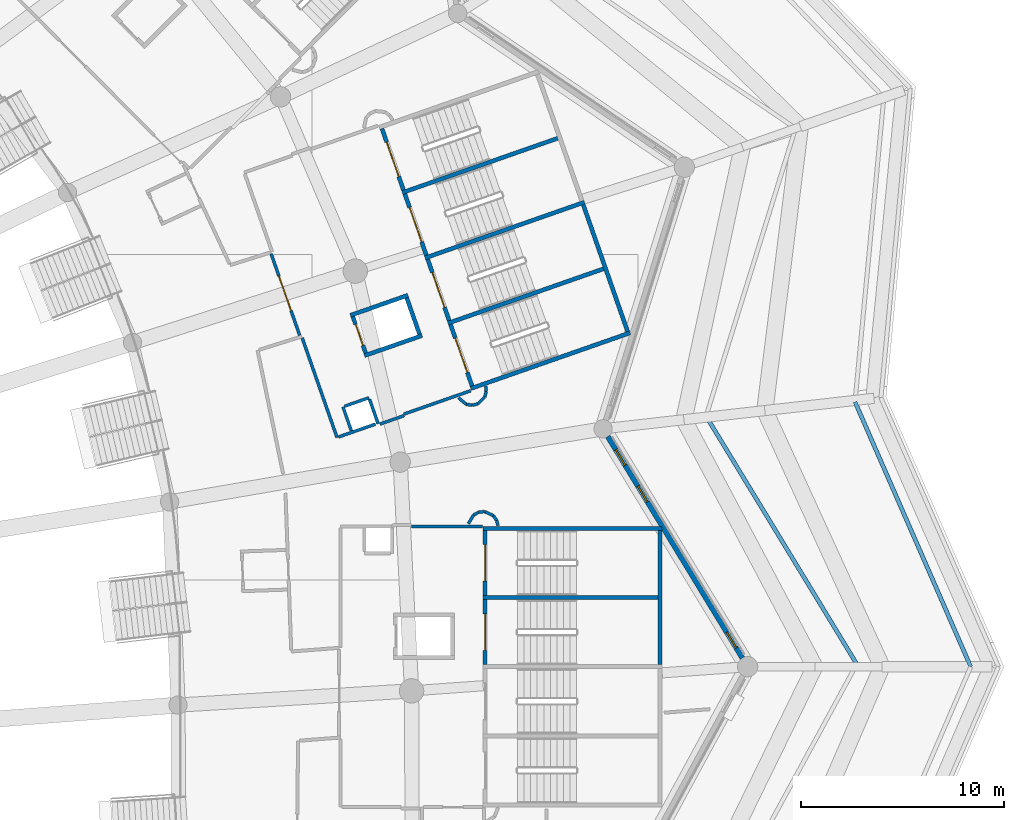
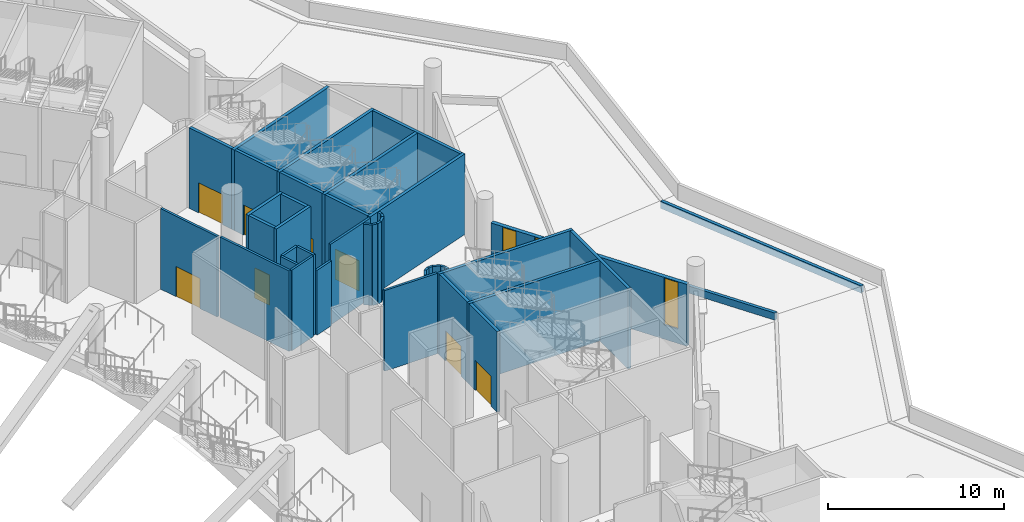
# One storey, part 73 of 173: 42 walls, 8 doors, 3 windows, 11 openings.
"""IFC4 building model written with IfcOpenShell, lengths in metres."""

from ifc_helpers import new_model, si_unit, direction, frame, frame_2d, origin, place, context, subcontext, project, spatial, rectangle, extrude, material, layer, layer_set, type_object, element, fill, save


model = new_model("IFC4")

# Units and contexts
model_context = context("Model", 3, precision=1e-05, world=origin(), true_north=direction((0.0, 1.0)))
body_context = subcontext(model_context, "Body", "Model", "MODEL_VIEW")
ifc_project = project(units=[si_unit("LENGTHUNIT", "METRE"), si_unit("AREAUNIT", "SQUARE_METRE"), si_unit("VOLUMEUNIT", "CUBIC_METRE"), si_unit("PLANEANGLEUNIT", "RADIAN"), si_unit("MASSUNIT", "GRAM", prefix="KILO")], contexts=[model_context])

# Site, building, storey
site_placement = place(None, origin())
site = spatial("IfcSite", under=ifc_project, at=site_placement, CompositionType="ELEMENT")
building_placement = place(site_placement, origin())
building = spatial("IfcBuilding", under=site, at=building_placement, Name="Meseta Stadium", CompositionType="ELEMENT")
storey_placement = place(building_placement, frame((0.0, 0.0, 18.0)))
storey = spatial("IfcBuildingStorey", under=building, at=storey_placement, Name="L03", CompositionType="ELEMENT", Elevation=18.0)

# Walls
ifc_material_1 = material(Name="Concrete C40/50", Category="concrete")
ifc_layer_1 = layer(ifc_material_1, 0.199951171875)
ifc_layer_set_1 = layer_set([ifc_layer_1], Name="Core divider wall 200")
wall_type_1 = type_object("IfcWallType", Name="Core divider wall 200", PredefinedType="SHEAR", material=ifc_layer_set_1)
wall_1_placement = place(storey_placement, frame((97.199951171875, 47.14990234375, 0.0), z_axis=(0.0, 0.0, 1.0), x_axis=(-1.0, 0.0, 0.0)))
element("IfcWall", 1, at=wall_1_placement, inside=storey, type_object=wall_type_1, Name="Core 05 L03 stair B divider wall", PredefinedType="SHEAR", context=body_context, shape_type="SweptSolid", body=[
    extrude(rectangle(XDim=8.800048828125, YDim=0.199951171875, at=frame_2d((4.39990234375, 0.0))), origin(), (0.0, 0.0, 1.0), 5.60009765625),
])
for number, where, z_axis, x_axis, name in (
    (2, (94.505859375, 63.370849609375, 0.0), (0.0, 0.0, 1.0), (-0.943878073457, -0.330294084791, 0.0), "Core 06 L03 stair A divider wall"),
    (3, (92.260009765625, 69.789306640625, 0.0), (0.0, 0.0, 1.0), (-0.943878073457, -0.330294084791, 0.0), "Core 06 L03 stair B divider wall"),
):
    element("IfcWall", number, at=place(storey_placement, frame(where, z_axis=z_axis, x_axis=x_axis)), inside=storey, type_object=wall_type_1, Name=name, PredefinedType="SHEAR", context=body_context, shape_type="SweptSolid", body=[
        extrude(rectangle(XDim=8.300048828125, YDim=0.199951171875, at=frame_2d((4.14990234375, 0.0))), origin(), (0.0, 0.0, 1.0), 5.60009765625),
    ])
ifc_material_2 = material(Name="Concrete C40/50", Category="concrete")
ifc_layer_2 = layer(ifc_material_2, 0.199951171875)
ifc_layer_set_2 = layer_set([ifc_layer_2], Name="Core shaft wall 200")
wall_type_2 = type_object("IfcWallType", Name="Core shaft wall 200", PredefinedType="SHEAR", material=ifc_layer_set_2)
wall_2_placement = place(storey_placement, frame((97.199951171875, 50.550048828125, 0.0), z_axis=(0.0, 0.0, 1.0), x_axis=(-1.0, 0.0, 0.0)))
element("IfcWall", 4, at=wall_2_placement, inside=storey, type_object=wall_type_2, Name="Core 05 L03 stair wall B-side", PredefinedType="SHEAR", context=body_context, shape_type="SweptSolid", body=[
    extrude(rectangle(XDim=8.800048828125, YDim=0.199951171875, at=frame_2d((4.39990234375, 0.0))), origin(), (0.0, 0.0, 1.0), 5.60009765625),
])
wall_3_placement = place(storey_placement, frame((97.10009765625, 43.85009765625, 0.0), z_axis=(0.0, 0.0, 1.0), x_axis=(0.0, 1.0, 0.0)))
element("IfcWall", 5, at=wall_3_placement, inside=storey, type_object=wall_type_2, Name="Core 05 L03 stair B outer end wall", PredefinedType="SHEAR", context=body_context, shape_type="SweptSolid", body=[
    extrude(rectangle(XDim=6.599853515625, YDim=0.199951171875, at=frame_2d((3.2998046875, 0.0))), origin(), (0.0, 0.0, 1.0), 5.60009765625),
])

# Wall, opening, door
wall_4_placement = place(storey_placement, frame((88.5, 43.85009765625, 0.0), z_axis=(0.0, 0.0, 1.0), x_axis=(0.0, 1.0, 0.0)))
wall_4 = element("IfcWall", 6, at=wall_4_placement, inside=storey, type_object=wall_type_2, Name="Core 05 L03 stair B1 inner end wall", PredefinedType="SHEAR", context=body_context, shape_type="SweptSolid", body=[
    extrude(rectangle(XDim=3.199951171875, YDim=0.199951171875, at=frame_2d((1.60009765625, 0.0))), origin(), (0.0, 0.0, 1.0), 5.60009765625),
])
opening_1_placement = place(wall_4_placement, frame((0.699951171875, 0.0, 0.0)))
opening_1 = element("IfcOpeningElement", 7, at=opening_1_placement, cuts=wall_4, Name="Opening D1479", PredefinedType="OPENING", context=body_context, shape_type="SweptSolid", body=[
    extrude(rectangle(XDim=1.800048828125, YDim=2.10009765625, at=frame_2d((0.89990234375, 1.050048828125))), frame((0.0, 0.10986328125, 0.0), z_axis=(0.0, -1.0, 0.0), x_axis=(1.0, 0.0, 0.0)), (0.0, 0.0, 1.0), 0.219970703125),
])
ifc_material_3 = material(Name="Steel", Category="steel")
door_type_1 = type_object("IfcDoorType", Name="Stair door 1800x2100", OperationType="DOUBLE_DOOR_SINGLE_SWING", PredefinedType="DOOR", material=ifc_material_3)
door_1_placement = place(opening_1_placement, origin())
door_1 = element("IfcDoor", 8, at=door_1_placement, inside=storey, type_object=door_type_1, Name="Stair B1 door 05 L03", OperationType="DOUBLE_DOOR_SINGLE_SWING", OverallHeight=2.10009765625, OverallWidth=1.800048828125, PredefinedType="DOOR", context=body_context, shape_type="SweptSolid", body=[
    extrude(rectangle(XDim=1.800048828125, YDim=2.10009765625, at=frame_2d((0.89990234375, 1.050048828125))), frame((0.0, 0.02490234375, 0.0), z_axis=(0.0, -1.0, 0.0), x_axis=(1.0, 0.0, 0.0)), (0.0, 0.0, 1.0), 0.050048828125),
])
fill(opening_1, door_1)

wall_5_placement = place(storey_placement, frame((88.5, 47.25, 0.0), z_axis=(0.0, 0.0, 1.0), x_axis=(0.0, 1.0, 0.0)))
wall_5 = element("IfcWall", 9, at=wall_5_placement, inside=storey, type_object=wall_type_2, Name="Core 05 L03 stair B2 inner end wall", PredefinedType="SHEAR", context=body_context, shape_type="SweptSolid", body=[
    extrude(rectangle(XDim=3.199951171875, YDim=0.199951171875, at=frame_2d((1.60009765625, 0.0))), origin(), (0.0, 0.0, 1.0), 5.60009765625),
])
opening_2_placement = place(wall_5_placement, frame((0.699951171875, 0.0, 0.0)))
opening_2 = element("IfcOpeningElement", 10, at=opening_2_placement, cuts=wall_5, Name="Opening D1480", PredefinedType="OPENING", context=body_context, shape_type="SweptSolid", body=[
    extrude(rectangle(XDim=1.800048828125, YDim=2.10009765625, at=frame_2d((0.89990234375, 1.050048828125))), frame((0.0, 0.10986328125, 0.0), z_axis=(0.0, -1.0, 0.0), x_axis=(1.0, 0.0, 0.0)), (0.0, 0.0, 1.0), 0.219970703125),
])
door_2_placement = place(opening_2_placement, origin())
door_2 = element("IfcDoor", 11, at=door_2_placement, inside=storey, type_object=door_type_1, Name="Stair B2 door 05 L03", OperationType="DOUBLE_DOOR_SINGLE_SWING", OverallHeight=2.10009765625, OverallWidth=1.800048828125, PredefinedType="DOOR", context=body_context, shape_type="SweptSolid", body=[
    extrude(rectangle(XDim=1.800048828125, YDim=2.10009765625, at=frame_2d((0.89990234375, 1.050048828125))), frame((0.0, 0.02490234375, 0.0), z_axis=(0.0, -1.0, 0.0), x_axis=(1.0, 0.0, 0.0)), (0.0, 0.0, 1.0), 0.050048828125),
])
fill(opening_2, door_2)

# Walls
for number, where, z_axis, x_axis, name in (
    (12, (95.62890625, 60.16162109375, 0.0), (0.0, 0.0, 1.0), (-0.943887243331, -0.330267878966, 0.0), "Core 06 L03 stair wall A-side"),
    (13, (93.3828125, 66.580078125, 0.0), (0.0, 0.0, 1.0), (-0.943878073457, -0.330294084791, 0.0), "Core 06 L03 stair wall shared"),
):
    element("IfcWall", number, at=place(storey_placement, frame(where, z_axis=z_axis, x_axis=x_axis)), inside=storey, type_object=wall_type_2, Name=name, PredefinedType="SHEAR", context=body_context, shape_type="SweptSolid", body=[
        extrude(rectangle(XDim=8.300048828125, YDim=0.199951171875, at=frame_2d((4.14990234375, 0.0))), origin(), (0.0, 0.0, 1.0), 5.60009765625),
    ])
wall_6_placement = place(storey_placement, frame((95.50146484375, 60.222900390625, 0.0), z_axis=(0.0, 0.0, 1.0), x_axis=(-0.330286164688, 0.943880844925, 0.0)))
element("IfcWall", 14, at=wall_6_placement, inside=storey, type_object=wall_type_2, Name="Core 06 L03 stair A outer end wall", PredefinedType="SHEAR", context=body_context, shape_type="SweptSolid", body=[
    extrude(rectangle(XDim=6.60009765625, YDim=0.199951171875, at=frame_2d((3.300048828125, 0.0))), origin(), (0.0, 0.0, 1.0), 5.60009765625),
])

# Wall, opening, door
wall_7_placement = place(storey_placement, frame((87.85595703125, 57.547607421875, 0.0), z_axis=(0.0, 0.0, 1.0), x_axis=(-0.330268863922, 0.943886898693, 0.0)))
wall_7 = element("IfcWall", 15, at=wall_7_placement, inside=storey, type_object=wall_type_2, Name="Core 06 L03 stair A1 inner end wall", PredefinedType="SHEAR", context=body_context, shape_type="SweptSolid", body=[
    extrude(rectangle(XDim=3.2001953125, YDim=0.199951171875, at=frame_2d((1.60009765625, 0.0))), origin(), (0.0, 0.0, 1.0), 5.60009765625),
])
opening_3_placement = place(wall_7_placement, frame((0.699951171875, 0.0, 0.0)))
opening_3 = element("IfcOpeningElement", 16, at=opening_3_placement, cuts=wall_7, Name="Opening D1472", PredefinedType="OPENING", context=body_context, shape_type="SweptSolid", body=[
    extrude(rectangle(XDim=1.800048828125, YDim=2.10009765625, at=frame_2d((0.89990234375, 1.050048828125))), frame((0.0, 0.10986328125, 0.0), z_axis=(0.0, -1.0, 0.0), x_axis=(1.0, 0.0, 0.0)), (0.0, 0.0, 1.0), 0.219970703125),
])
door_3_placement = place(opening_3_placement, origin())
door_3 = element("IfcDoor", 17, at=door_3_placement, inside=storey, type_object=door_type_1, Name="Stair A1 door 06 L03", OperationType="DOUBLE_DOOR_SINGLE_SWING", OverallHeight=2.10009765625, OverallWidth=1.800048828125, PredefinedType="DOOR", context=body_context, shape_type="SweptSolid", body=[
    extrude(rectangle(XDim=1.800048828125, YDim=2.10009765625, at=frame_2d((0.89990234375, 1.050048828125))), frame((0.0, 0.02490234375, 0.0), z_axis=(0.0, -1.0, 0.0), x_axis=(1.0, 0.0, 0.0)), (0.0, 0.0, 1.0), 0.050048828125),
])
fill(opening_3, door_3)

wall_8_placement = place(storey_placement, frame((86.73291015625, 60.7568359375, 0.0), z_axis=(0.0, 0.0, 1.0), x_axis=(-0.330268863922, 0.943886898693, 0.0)))
wall_8 = element("IfcWall", 18, at=wall_8_placement, inside=storey, type_object=wall_type_2, Name="Core 06 L03 stair A2 inner end wall", PredefinedType="SHEAR", context=body_context, shape_type="SweptSolid", body=[
    extrude(rectangle(XDim=3.2001953125, YDim=0.199951171875, at=frame_2d((1.60009765625, 0.0))), origin(), (0.0, 0.0, 1.0), 5.60009765625),
])
opening_4_placement = place(wall_8_placement, frame((0.699951171875, 0.0, 0.0)))
opening_4 = element("IfcOpeningElement", 19, at=opening_4_placement, cuts=wall_8, Name="Opening D1467", PredefinedType="OPENING", context=body_context, shape_type="SweptSolid", body=[
    extrude(rectangle(XDim=1.800048828125, YDim=2.10009765625, at=frame_2d((0.89990234375, 1.050048828125))), frame((0.0, 0.10986328125, 0.0), z_axis=(0.0, -1.0, 0.0), x_axis=(1.0, 0.0, 0.0)), (0.0, 0.0, 1.0), 0.219970703125),
])
door_4_placement = place(opening_4_placement, origin())
door_4 = element("IfcDoor", 20, at=door_4_placement, inside=storey, type_object=door_type_1, Name="Stair A2 door 06 L03", OperationType="DOUBLE_DOOR_SINGLE_SWING", OverallHeight=2.10009765625, OverallWidth=1.800048828125, PredefinedType="DOOR", context=body_context, shape_type="SweptSolid", body=[
    extrude(rectangle(XDim=1.800048828125, YDim=2.10009765625, at=frame_2d((0.89990234375, 1.050048828125))), frame((0.0, 0.02490234375, 0.0), z_axis=(0.0, -1.0, 0.0), x_axis=(1.0, 0.0, 0.0)), (0.0, 0.0, 1.0), 0.050048828125),
])
fill(opening_4, door_4)

wall_9_placement = place(storey_placement, frame((85.610107421875, 63.966064453125, 0.0), z_axis=(0.0, 0.0, 1.0), x_axis=(-0.330268863922, 0.943886898693, 0.0)))
wall_9 = element("IfcWall", 21, at=wall_9_placement, inside=storey, type_object=wall_type_2, Name="Core 06 L03 stair B1 inner end wall", PredefinedType="SHEAR", context=body_context, shape_type="SweptSolid", body=[
    extrude(rectangle(XDim=3.2001953125, YDim=0.199951171875, at=frame_2d((1.60009765625, 0.0))), origin(), (0.0, 0.0, 1.0), 5.60009765625),
])
opening_5_placement = place(wall_9_placement, frame((0.699951171875, 0.0, 0.0)))
opening_5 = element("IfcOpeningElement", 22, at=opening_5_placement, cuts=wall_9, Name="Opening D1466", PredefinedType="OPENING", context=body_context, shape_type="SweptSolid", body=[
    extrude(rectangle(XDim=1.800048828125, YDim=2.10009765625, at=frame_2d((0.89990234375, 1.050048828125))), frame((0.0, 0.10986328125, 0.0), z_axis=(0.0, -1.0, 0.0), x_axis=(1.0, 0.0, 0.0)), (0.0, 0.0, 1.0), 0.219970703125),
])
door_5_placement = place(opening_5_placement, origin())
door_5 = element("IfcDoor", 23, at=door_5_placement, inside=storey, type_object=door_type_1, Name="Stair B1 door 06 L03", OperationType="DOUBLE_DOOR_SINGLE_SWING", OverallHeight=2.10009765625, OverallWidth=1.800048828125, PredefinedType="DOOR", context=body_context, shape_type="SweptSolid", body=[
    extrude(rectangle(XDim=1.800048828125, YDim=2.10009765625, at=frame_2d((0.89990234375, 1.050048828125))), frame((0.0, 0.02490234375, 0.0), z_axis=(0.0, -1.0, 0.0), x_axis=(1.0, 0.0, 0.0)), (0.0, 0.0, 1.0), 0.050048828125),
])
fill(opening_5, door_5)

wall_10_placement = place(storey_placement, frame((84.487060546875, 67.17529296875, 0.0), z_axis=(0.0, 0.0, 1.0), x_axis=(-0.330268863922, 0.943886898693, 0.0)))
wall_10 = element("IfcWall", 24, at=wall_10_placement, inside=storey, type_object=wall_type_2, Name="Core 06 L03 stair B2 inner end wall", PredefinedType="SHEAR", context=body_context, shape_type="SweptSolid", body=[
    extrude(rectangle(XDim=3.2001953125, YDim=0.199951171875, at=frame_2d((1.60009765625, 0.0))), origin(), (0.0, 0.0, 1.0), 5.60009765625),
])
opening_6_placement = place(wall_10_placement, frame((0.699951171875, 0.0, 0.0)))
opening_6 = element("IfcOpeningElement", 25, at=opening_6_placement, cuts=wall_10, Name="Opening D1464", PredefinedType="OPENING", context=body_context, shape_type="SweptSolid", body=[
    extrude(rectangle(XDim=1.800048828125, YDim=2.10009765625, at=frame_2d((0.89990234375, 1.050048828125))), frame((0.0, 0.10986328125, 0.0), z_axis=(0.0, -1.0, 0.0), x_axis=(1.0, 0.0, 0.0)), (0.0, 0.0, 1.0), 0.219970703125),
])
door_6_placement = place(opening_6_placement, origin())
door_6 = element("IfcDoor", 26, at=door_6_placement, inside=storey, type_object=door_type_1, Name="Stair B2 door 06 L03", OperationType="DOUBLE_DOOR_SINGLE_SWING", OverallHeight=2.10009765625, OverallWidth=1.800048828125, PredefinedType="DOOR", context=body_context, shape_type="SweptSolid", body=[
    extrude(rectangle(XDim=1.800048828125, YDim=2.10009765625, at=frame_2d((0.89990234375, 1.050048828125))), frame((0.0, 0.02490234375, 0.0), z_axis=(0.0, -1.0, 0.0), x_axis=(1.0, 0.0, 0.0)), (0.0, 0.0, 1.0), 0.050048828125),
])
fill(opening_6, door_6)

# Walls
wall_11_placement = place(storey_placement, frame((85.39990234375, 60.025390625, 0.0), z_axis=(0.0, 0.0, 1.0), x_axis=(-0.943900215722, -0.330230802259, 0.0)))
element("IfcWall", 27, at=wall_11_placement, inside=storey, type_object=wall_type_2, Name="Core 06 L03 lift shaft wall left", PredefinedType="SHEAR", context=body_context, shape_type="SweptSolid", body=[
    extrude(rectangle(XDim=3.0, YDim=0.199951171875, at=frame_2d((1.5, 0.0))), origin(), (0.0, 0.0, 1.0), 5.60009765625),
])
wall_12_placement = place(storey_placement, frame((84.706298828125, 62.0078125, 0.0), z_axis=(0.0, 0.0, 1.0), x_axis=(-0.943874847782, -0.330303302625, 0.0)))
element("IfcWall", 28, at=wall_12_placement, inside=storey, type_object=wall_type_2, Name="Core 06 L03 lift shaft wall right", PredefinedType="SHEAR", context=body_context, shape_type="SweptSolid", body=[
    extrude(rectangle(XDim=3.000244140625, YDim=0.199951171875, at=frame_2d((1.5, 0.0))), origin(), (0.0, 0.0, 1.0), 5.60009765625),
])
wall_13_placement = place(storey_placement, frame((85.272216796875, 60.0869140625, 0.0), z_axis=(0.0, 0.0, 1.0), x_axis=(-0.330224505327, 0.943902418729, 0.0)))
element("IfcWall", 29, at=wall_13_placement, inside=storey, type_object=wall_type_2, Name="Core 06 L03 lift shaft back wall", PredefinedType="SHEAR", context=body_context, shape_type="SweptSolid", body=[
    extrude(rectangle(XDim=1.900146484375, YDim=0.199951171875, at=frame_2d((0.9501953125, 0.0))), origin(), (0.0, 0.0, 1.0), 5.60009765625),
])

# Wall, opening, door
wall_14_placement = place(storey_placement, frame((82.62939453125, 59.162109375, 0.0), z_axis=(0.0, 0.0, 1.0), x_axis=(-0.330224505327, 0.943902418729, 0.0)))
wall_14 = element("IfcWall", 30, at=wall_14_placement, inside=storey, type_object=wall_type_2, Name="Core 06 L03 lift shaft front wall", PredefinedType="SHEAR", context=body_context, shape_type="SweptSolid", body=[
    extrude(rectangle(XDim=1.900146484375, YDim=0.199951171875, at=frame_2d((0.9501953125, 0.0))), origin(), (0.0, 0.0, 1.0), 5.60009765625),
])
opening_7_placement = place(wall_14_placement, frame((0.39990234375, 0.0, 0.0)))
opening_7 = element("IfcOpeningElement", 31, at=opening_7_placement, cuts=wall_14, Name="Opening LD35", PredefinedType="OPENING", context=body_context, shape_type="SweptSolid", body=[
    extrude(rectangle(XDim=1.10009765625, YDim=2.10009765625, at=frame_2d((0.550048828125, 1.050048828125))), frame((0.0, 0.10986328125, 0.0), z_axis=(0.0, -1.0, 0.0), x_axis=(1.0, 0.0, 0.0)), (0.0, 0.0, 1.0), 0.219970703125),
])
ifc_material_4 = material(Name="Steel", Category="steel")
door_type_2 = type_object("IfcDoorType", Name="Lift landing door 1100x2100", OperationType="SLIDING_TO_LEFT", PredefinedType="DOOR", material=ifc_material_4)
door_7_placement = place(opening_7_placement, origin())
door_7 = element("IfcDoor", 32, at=door_7_placement, inside=storey, type_object=door_type_2, Name="Lift landing door LD35", OperationType="SLIDING_TO_LEFT", OverallHeight=2.10009765625, OverallWidth=1.10009765625, PredefinedType="DOOR", context=body_context, shape_type="SweptSolid", body=[
    extrude(rectangle(XDim=1.10009765625, YDim=2.10009765625, at=frame_2d((0.550048828125, 1.050048828125))), frame((0.0, 0.02490234375, 0.0), z_axis=(0.0, -1.0, 0.0), x_axis=(1.0, 0.0, 0.0)), (0.0, 0.0, 1.0), 0.050048828125),
])
fill(opening_7, door_7)

# Walls
ifc_material_5 = material(Name="Masonry blockwork", Category="masonry")
ifc_layer_3 = layer(ifc_material_5, 0.14990234375)
ifc_layer_set_3 = layer_set([ifc_layer_3], Name="Partition 150")
wall_type_3 = type_object("IfcWallType", Name="Partition 150", PredefinedType="PARTITIONING", material=ifc_layer_set_3)
wall_15_placement = place(storey_placement, frame((88.360107421875, 50.64990234375, 0.0), z_axis=(0.0, 0.0, 1.0), x_axis=(-1.0, 0.0, 0.0)))
element("IfcWall", 33, at=wall_15_placement, inside=storey, type_object=wall_type_3, Name="Partition L03 L03-cell04-1-0", PredefinedType="PARTITIONING", context=body_context, shape_type="SweptSolid", body=[
    extrude(rectangle(XDim=3.480224609375, YDim=0.14990234375, at=frame_2d((1.740234375, 0.0))), origin(), (0.0, 0.0, 1.0), 5.60009765625),
])
wall_16_placement = place(storey_placement, frame((79.508056640625, 59.907470703125, 0.0), z_axis=(0.0, 0.0, 1.0), x_axis=(0.330291692253, -0.943878910681, 0.0)))
element("IfcWall", 34, at=wall_16_placement, inside=storey, type_object=wall_type_3, Name="Partition L03 L03-cell04-1-0", PredefinedType="PARTITIONING", context=body_context, shape_type="SweptSolid", body=[
    extrude(rectangle(XDim=5.1845703125, YDim=0.14990234375, at=frame_2d((2.59228515625, 0.0))), origin(), (0.0, 0.0, 1.0), 5.60009765625),
])
wall_17_placement = place(storey_placement, frame((81.291259765625, 55.038818359375, 0.0), z_axis=(0.0, 0.0, 1.0), x_axis=(0.943910062753, 0.330202655097, 0.0)))
element("IfcWall", 35, at=wall_17_placement, inside=storey, type_object=wall_type_3, Name="Partition L03 L03-cell04-1-0", PredefinedType="PARTITIONING", context=body_context, shape_type="SweptSolid", body=[
    extrude(rectangle(XDim=1.91357421875, YDim=0.14990234375, at=frame_2d((0.956787109375, 0.0))), origin(), (0.0, 0.0, 1.0), 5.60009765625),
])
wall_18_placement = place(storey_placement, frame((84.505126953125, 56.163330078125, 0.0), z_axis=(0.0, 0.0, 1.0), x_axis=(0.943878042103, 0.330294174389, 0.0)))
element("IfcWall", 36, at=wall_18_placement, inside=storey, type_object=wall_type_3, Name="Partition L03 L03-cell04-1-0", PredefinedType="PARTITIONING", context=body_context, shape_type="SweptSolid", body=[
    extrude(rectangle(XDim=3.47998046875, YDim=0.14990234375, at=frame_2d((1.739990234375, 0.0))), origin(), (0.0, 0.0, 1.0), 5.60009765625),
])
wall_19_placement = place(storey_placement, frame((89.1298828125, 50.678466796875, 0.0), z_axis=(0.0, 0.0, 1.0), x_axis=(-0.231150896285, 0.972917911823, 0.0)))
element("IfcWall", 37, at=wall_19_placement, inside=storey, type_object=wall_type_3, Name="Stair vestibule wall L03 core 05", PredefinedType="PARTITIONING", context=body_context, shape_type="SweptSolid", body=[
    extrude(rectangle(XDim=0.2578125, YDim=0.14990234375, at=frame_2d((0.12890625, 0.0))), origin(), (0.0, 0.0, 1.0), 5.60009765625),
])
wall_20_placement = place(storey_placement, frame((89.0703125, 50.92919921875, 0.0), z_axis=(0.0, 0.0, 1.0), x_axis=(-0.555678694372, 0.831397130511, 0.0)))
element("IfcWall", 38, at=wall_20_placement, inside=storey, type_object=wall_type_3, Name="Stair vestibule wall L03 core 05", PredefinedType="PARTITIONING", context=body_context, shape_type="SweptSolid", body=[
    extrude(rectangle(XDim=0.287841796875, YDim=0.14990234375, at=frame_2d((0.14404296875, 0.0))), origin(), (0.0, 0.0, 1.0), 5.60009765625),
])
wall_21_placement = place(storey_placement, frame((88.910400390625, 51.16845703125, 0.0), z_axis=(0.0, 0.0, 1.0), x_axis=(-0.903893315025, 0.427757963167, 0.0)))
element("IfcWall", 39, at=wall_21_placement, inside=storey, type_object=wall_type_3, Name="Stair vestibule wall L03 core 05", PredefinedType="PARTITIONING", context=body_context, shape_type="SweptSolid", body=[
    extrude(rectangle(XDim=0.4794921875, YDim=0.14990234375, at=frame_2d((0.23974609375, 0.0))), origin(), (0.0, 0.0, 1.0), 5.60009765625),
])
for number, where, z_axis, x_axis, name in (
    (40, (88.47705078125, 51.37353515625, 0.0), (0.0, 0.0, 1.0), (-0.995194714408, -0.097915680128, 0.0), "Stair vestibule wall L03 core 05"),
    (41, (88.189208984375, 51.34521484375, 0.0), (0.0, 0.0, 1.0), (-0.881768319, -0.471682765858, 0.0), "Stair vestibule wall L03 core 05"),
):
    element("IfcWall", number, at=place(storey_placement, frame(where, z_axis=z_axis, x_axis=x_axis)), inside=storey, type_object=wall_type_3, Name=name, PredefinedType="PARTITIONING", context=body_context, shape_type="SweptSolid", body=[
        extrude(rectangle(XDim=0.289306640625, YDim=0.14990234375, at=frame_2d((0.14453125, 0.0))), origin(), (0.0, 0.0, 1.0), 5.60009765625),
    ])
wall_22_placement = place(storey_placement, frame((87.93408203125, 51.208740234375, 0.0), z_axis=(0.0, 0.0, 1.0), x_axis=(-0.513060623194, -0.858352373404, 0.0)))
element("IfcWall", 42, at=wall_22_placement, inside=storey, type_object=wall_type_3, Name="Stair vestibule wall L03 core 05", PredefinedType="PARTITIONING", context=body_context, shape_type="SweptSolid", body=[
    extrude(rectangle(XDim=0.50048828125, YDim=0.14990234375, at=frame_2d((0.250244140625, 0.0))), origin(), (0.0, 0.0, 1.0), 5.60009765625),
])
for number, where, z_axis, x_axis, name in (
    (43, (83.234619140625, 55.692138671875, 0.0), (0.0, 0.0, 1.0), (-0.330324835387, 0.943867312246, 0.0), "Pressurisation shaft wall L03 core 06"),
    (44, (82.78857421875, 56.96630859375, 0.0), (0.0, 0.0, 1.0), (-0.943927004722, -0.330154221169, 0.0), "Pressurisation shaft wall L03 core 06"),
):
    element("IfcWall", number, at=place(storey_placement, frame(where, z_axis=z_axis, x_axis=x_axis)), inside=storey, type_object=wall_type_3, Name=name, PredefinedType="PARTITIONING", context=body_context, shape_type="SweptSolid", body=[
        extrude(rectangle(XDim=1.27490234375, YDim=0.14990234375, at=frame_2d((0.637451171875, 0.0))), origin(), (0.0, 0.0, 1.0), 5.60009765625),
    ])
wall_23_placement = place(storey_placement, frame((81.514404296875, 56.5205078125, 0.0), z_axis=(0.0, 0.0, 1.0), x_axis=(0.33032430547, -0.943867497701, 0.0)))
element("IfcWall", 45, at=wall_23_placement, inside=storey, type_object=wall_type_3, Name="Pressurisation shaft wall L03 core 06", PredefinedType="PARTITIONING", context=body_context, shape_type="SweptSolid", body=[
    extrude(rectangle(XDim=1.2490234375, YDim=0.14990234375, at=frame_2d((0.62451171875, 0.0))), origin(), (0.0, 0.0, 1.0), 5.60009765625),
])

# Wall, opening, door
wall_24_placement = place(storey_placement, frame((77.98291015625, 64.039306640625, 0.0), z_axis=(0.0, 0.0, 1.0), x_axis=(0.330276109597, -0.943884363378, 0.0)))
wall_24 = element("IfcWall", 46, at=wall_24_placement, inside=storey, type_object=wall_type_3, Name="Stair vestibule wall L03 core 06", PredefinedType="PARTITIONING", context=body_context, shape_type="SweptSolid", body=[
    extrude(rectangle(XDim=4.24365234375, YDim=0.14990234375, at=frame_2d((2.121826171875, 0.0))), origin(), (0.0, 0.0, 1.0), 5.60009765625),
])
opening_8_placement = place(wall_24_placement, frame((1.14990234375, 0.0, 0.0)))
opening_8 = element("IfcOpeningElement", 47, at=opening_8_placement, cuts=wall_24, Name="Opening D1449", PredefinedType="OPENING", context=body_context, shape_type="SweptSolid", body=[
    extrude(rectangle(XDim=1.800048828125, YDim=2.10009765625, at=frame_2d((0.89990234375, 1.050048828125))), frame((0.0, 0.0849609375, 0.0), z_axis=(0.0, -1.0, 0.0), x_axis=(1.0, 0.0, 0.0)), (0.0, 0.0, 1.0), 0.169921875),
])
ifc_material_6 = material(Name="Steel", Category="steel")
door_type_3 = type_object("IfcDoorType", Name="Fire double door 1800x2100 EI2 60", OperationType="DOUBLE_DOOR_SINGLE_SWING", PredefinedType="DOOR", material=ifc_material_6)
door_8_placement = place(opening_8_placement, origin())
door_8 = element("IfcDoor", 48, at=door_8_placement, inside=storey, type_object=door_type_3, Name="Stair vestibule door L03 core 06", OperationType="DOUBLE_DOOR_SINGLE_SWING", OverallHeight=2.10009765625, OverallWidth=1.800048828125, PredefinedType="DOOR", context=body_context, shape_type="SweptSolid", body=[
    extrude(rectangle(XDim=1.800048828125, YDim=2.10009765625, at=frame_2d((0.89990234375, 1.050048828125))), frame((0.0, 0.02490234375, 0.0), z_axis=(0.0, -1.0, 0.0), x_axis=(1.0, 0.0, 0.0)), (0.0, 0.0, 1.0), 0.050048828125),
])
fill(opening_8, door_8)

# Walls
wall_25_placement = place(storey_placement, frame((83.331298828125, 55.673095703125, 0.0), z_axis=(0.0, 0.0, 1.0), x_axis=(0.943909703532, 0.330203681958, 0.0)))
element("IfcWall", 49, at=wall_25_placement, inside=storey, type_object=wall_type_3, Name="Stair vestibule wall L03 core 06", PredefinedType="PARTITIONING", context=body_context, shape_type="SweptSolid", body=[
    extrude(rectangle(XDim=1.259765625, YDim=0.14990234375, at=frame_2d((0.6298828125, 0.0))), origin(), (0.0, 0.0, 1.0), 4.5),
])
wall_26_placement = place(storey_placement, frame((87.188232421875, 56.96533203125, 0.0), z_axis=(0.0, 0.0, 1.0), x_axis=(0.767460899963, -0.64109575496, 0.0)))
element("IfcWall", 50, at=wall_26_placement, inside=storey, type_object=wall_type_3, Name="Stair vestibule wall L03 core 06", PredefinedType="PARTITIONING", context=body_context, shape_type="SweptSolid", body=[
    extrude(rectangle(XDim=0.50048828125, YDim=0.14990234375, at=frame_2d((0.250244140625, 0.0))), origin(), (0.0, 0.0, 1.0), 5.60009765625),
])
wall_27_placement = place(storey_placement, frame((87.572265625, 56.64453125, 0.0), z_axis=(0.0, 0.0, 1.0), x_axis=(0.98813639707, -0.153578842243, 0.0)))
element("IfcWall", 51, at=wall_27_placement, inside=storey, type_object=wall_type_3, Name="Stair vestibule wall L03 core 06", PredefinedType="PARTITIONING", context=body_context, shape_type="SweptSolid", body=[
    extrude(rectangle(XDim=0.289306640625, YDim=0.14990234375, at=frame_2d((0.14453125, 0.0))), origin(), (0.0, 0.0, 1.0), 5.60009765625),
])
wall_28_placement = place(storey_placement, frame((87.858154296875, 56.60009765625, 0.0), z_axis=(0.0, 0.0, 1.0), x_axis=(0.971709471934, 0.23617938554, 0.0)))
element("IfcWall", 52, at=wall_28_placement, inside=storey, type_object=wall_type_3, Name="Stair vestibule wall L03 core 06", PredefinedType="PARTITIONING", context=body_context, shape_type="SweptSolid", body=[
    extrude(rectangle(XDim=0.28955078125, YDim=0.14990234375, at=frame_2d((0.144775390625, 0.0))), origin(), (0.0, 0.0, 1.0), 5.60009765625),
])
wall_29_placement = place(storey_placement, frame((88.139404296875, 56.66845703125, 0.0), z_axis=(0.0, 0.0, 1.0), x_axis=(0.712182727258, 0.701994133163, 0.0)))
element("IfcWall", 53, at=wall_29_placement, inside=storey, type_object=wall_type_3, Name="Stair vestibule wall L03 core 06", PredefinedType="PARTITIONING", context=body_context, shape_type="SweptSolid", body=[
    extrude(rectangle(XDim=0.479248046875, YDim=0.14990234375, at=frame_2d((0.23974609375, 0.0))), origin(), (0.0, 0.0, 1.0), 5.60009765625),
])
wall_30_placement = place(storey_placement, frame((88.480712890625, 57.0048828125, 0.0), z_axis=(0.0, 0.0, 1.0), x_axis=(0.24931374241, 0.968422768137, 0.0)))
element("IfcWall", 54, at=wall_30_placement, inside=storey, type_object=wall_type_3, Name="Stair vestibule wall L03 core 06", PredefinedType="PARTITIONING", context=body_context, shape_type="SweptSolid", body=[
    extrude(rectangle(XDim=0.287841796875, YDim=0.14990234375, at=frame_2d((0.14404296875, 0.0))), origin(), (0.0, 0.0, 1.0), 5.60009765625),
])
wall_31_placement = place(storey_placement, frame((88.552490234375, 57.28369140625, 0.0), z_axis=(0.0, 0.0, 1.0), x_axis=(-0.104093648916, 0.9945675001, 0.0)))
element("IfcWall", 55, at=wall_31_placement, inside=storey, type_object=wall_type_3, Name="Stair vestibule wall L03 core 06", PredefinedType="PARTITIONING", context=body_context, shape_type="SweptSolid", body=[
    extrude(rectangle(XDim=0.258056640625, YDim=0.14990234375, at=frame_2d((0.12890625, 0.0))), origin(), (0.0, 0.0, 1.0), 5.60009765625),
])
ifc_material_7 = material(Name="Precast concrete C40/50", Category="concrete")
ifc_layer_4 = layer(ifc_material_7, 0.199951171875)
ifc_layer_set_4 = layer_set([ifc_layer_4], Name="Planter kerb 200")
wall_type_4 = type_object("IfcWallType", Name="Planter kerb 200", PredefinedType="USERDEFINED", material=ifc_layer_set_4)
wall_32_placement = place(storey_placement, frame((106.676513671875, 56.76416015625, 0.0), z_axis=(0.0, 0.0, 1.0), x_axis=(0.400393260709, -0.916343405486, 0.0)))
element("IfcWall", 56, at=wall_32_placement, inside=storey, type_object=wall_type_4, Name="Planter kerb 1.1.1", ObjectType="PLANTER", PredefinedType="USERDEFINED", context=body_context, shape_type="SweptSolid", body=[
    extrude(rectangle(XDim=14.2060546875, YDim=0.199951171875, at=frame_2d((7.10302734375, 0.0))), origin(), (0.0, 0.0, 1.0), 0.5),
])
wall_33_placement = place(storey_placement, frame((106.763427734375, 43.87841796875, 0.0), z_axis=(0.0, 0.0, 1.0), x_axis=(-0.519369456412, 0.854549804135, 0.0)))
element("IfcWall", 57, at=wall_33_placement, inside=storey, type_object=wall_type_4, Name="Planter kerb 1.1.7", ObjectType="PLANTER", PredefinedType="USERDEFINED", context=body_context, shape_type="SweptSolid", body=[
    extrude(rectangle(XDim=14.259521484375, YDim=0.199951171875, at=frame_2d((7.1298828125, 0.0))), origin(), (0.0, 0.0, 1.0), 0.5),
])

# Wall, openings, windows
ifc_material_8 = material(Name="White precast concrete C40/50", Category="concrete")
ifc_layer_5 = layer(ifc_material_8, 0.25)
ifc_layer_set_5 = layer_set([ifc_layer_5], Name="Pleated panel wall 250")
wall_type_5 = type_object("IfcWallType", Name="Pleated panel wall 250", PredefinedType="SOLIDWALL", material=ifc_layer_set_5)
wall_34_placement = place(storey_placement, frame((94.52783203125, 55.057373046875, 0.0), z_axis=(0.0, 0.0, 1.0), x_axis=(0.519362860044, -0.854553813172, 0.0)))
wall_34 = element("IfcWall", 58, at=wall_34_placement, inside=storey, type_object=wall_type_5, Name="Pleated facade panel L03 F08", PredefinedType="SOLIDWALL", context=body_context, shape_type="SweptSolid", body=[
    extrude(rectangle(XDim=12.732421875, YDim=0.25, at=frame_2d((6.3662109375, 0.0))), origin(), (0.0, 0.0, 1.0), 4.300048828125),
])
opening_9_placement = place(wall_34_placement, frame((0.75048828125, 0.0, 1.0)))
opening_9 = element("IfcOpeningElement", 59, at=opening_9_placement, cuts=wall_34, Name="Opening W151", PredefinedType="OPENING", context=body_context, shape_type="SweptSolid", body=[
    extrude(rectangle(XDim=0.89990234375, YDim=3.25, at=frame_2d((0.449951171875, 1.625))), frame((0.0, 0.135009765625, 0.0), z_axis=(0.0, -1.0, 0.0), x_axis=(1.0, 0.0, 0.0)), (0.0, 0.0, 1.0), 0.27001953125),
])
opening_10_placement = place(wall_34_placement, frame((2.8505859375, 0.0, 1.0)))
opening_10 = element("IfcOpeningElement", 60, at=opening_10_placement, cuts=wall_34, Name="Opening W159", PredefinedType="OPENING", context=body_context, shape_type="SweptSolid", body=[
    extrude(rectangle(XDim=0.89990234375, YDim=3.25, at=frame_2d((0.449951171875, 1.625))), frame((0.0, 0.135009765625, 0.0), z_axis=(0.0, -1.0, 0.0), x_axis=(1.0, 0.0, 0.0)), (0.0, 0.0, 1.0), 0.27001953125),
])
opening_11_placement = place(wall_34_placement, frame((11.25048828125, 0.0, 1.0)))
opening_11 = element("IfcOpeningElement", 61, at=opening_11_placement, cuts=wall_34, Name="Opening W177", PredefinedType="OPENING", context=body_context, shape_type="SweptSolid", body=[
    extrude(rectangle(XDim=0.89990234375, YDim=3.25, at=frame_2d((0.449951171875, 1.625))), frame((0.0, 0.135009765625, 0.0), z_axis=(0.0, -1.0, 0.0), x_axis=(1.0, 0.0, 0.0)), (0.0, 0.0, 1.0), 0.27001953125),
])
ifc_material_9 = material(Name="Aluminium", Category="aluminium")
window_type = type_object("IfcWindowType", Name="Slot window 900x3250", PartitioningType="SINGLE_PANEL", PredefinedType="WINDOW", material=ifc_material_9)
window_1_placement = place(opening_9_placement, origin())
window_1 = element("IfcWindow", 62, at=window_1_placement, inside=storey, type_object=window_type, Name="Slot window L03 F08.1", OverallHeight=3.25, OverallWidth=0.89990234375, PartitioningType="SINGLE_PANEL", PredefinedType="WINDOW", context=body_context, shape_type="SweptSolid", body=[
    extrude(rectangle(XDim=0.89990234375, YDim=3.25, at=frame_2d((0.449951171875, 1.625))), frame((0.0, 0.030029296875, 0.0), z_axis=(0.0, -1.0, 0.0), x_axis=(1.0, 0.0, 0.0)), (0.0, 0.0, 1.0), 0.06005859375),
])
fill(opening_9, window_1)
window_2_placement = place(opening_10_placement, origin())
window_2 = element("IfcWindow", 63, at=window_2_placement, inside=storey, type_object=window_type, Name="Slot window L03 F08.2", OverallHeight=3.25, OverallWidth=0.89990234375, PartitioningType="SINGLE_PANEL", PredefinedType="WINDOW", context=body_context, shape_type="SweptSolid", body=[
    extrude(rectangle(XDim=0.89990234375, YDim=3.25, at=frame_2d((0.449951171875, 1.625))), frame((0.0, 0.030029296875, 0.0), z_axis=(0.0, -1.0, 0.0), x_axis=(1.0, 0.0, 0.0)), (0.0, 0.0, 1.0), 0.06005859375),
])
fill(opening_10, window_2)
window_3_placement = place(opening_11_placement, origin())
window_3 = element("IfcWindow", 64, at=window_3_placement, inside=storey, type_object=window_type, Name="Slot window L03 F08.6", OverallHeight=3.25, OverallWidth=0.89990234375, PartitioningType="SINGLE_PANEL", PredefinedType="WINDOW", context=body_context, shape_type="SweptSolid", body=[
    extrude(rectangle(XDim=0.89990234375, YDim=3.25, at=frame_2d((0.449951171875, 1.625))), frame((0.0, 0.030029296875, 0.0), z_axis=(0.0, -1.0, 0.0), x_axis=(1.0, 0.0, 0.0)), (0.0, 0.0, 1.0), 0.06005859375),
])
fill(opening_11, window_3)

save(model, "model.ifc")
